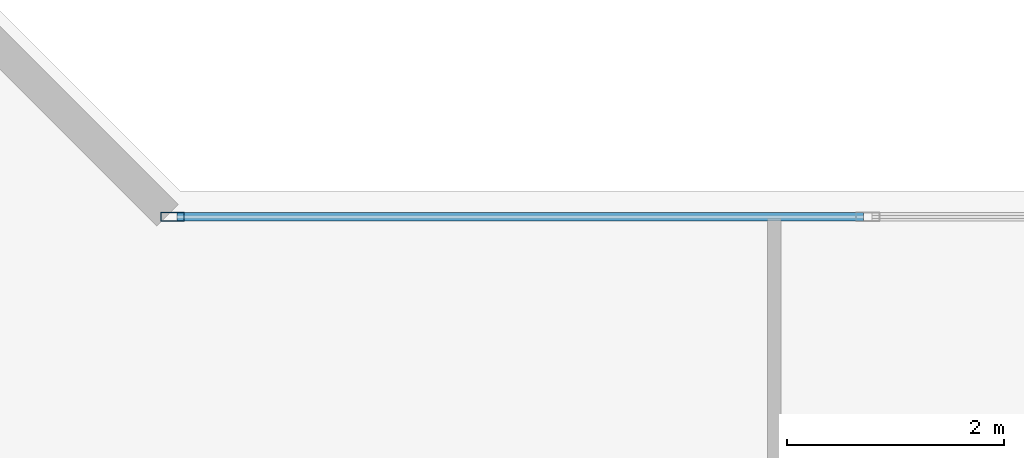
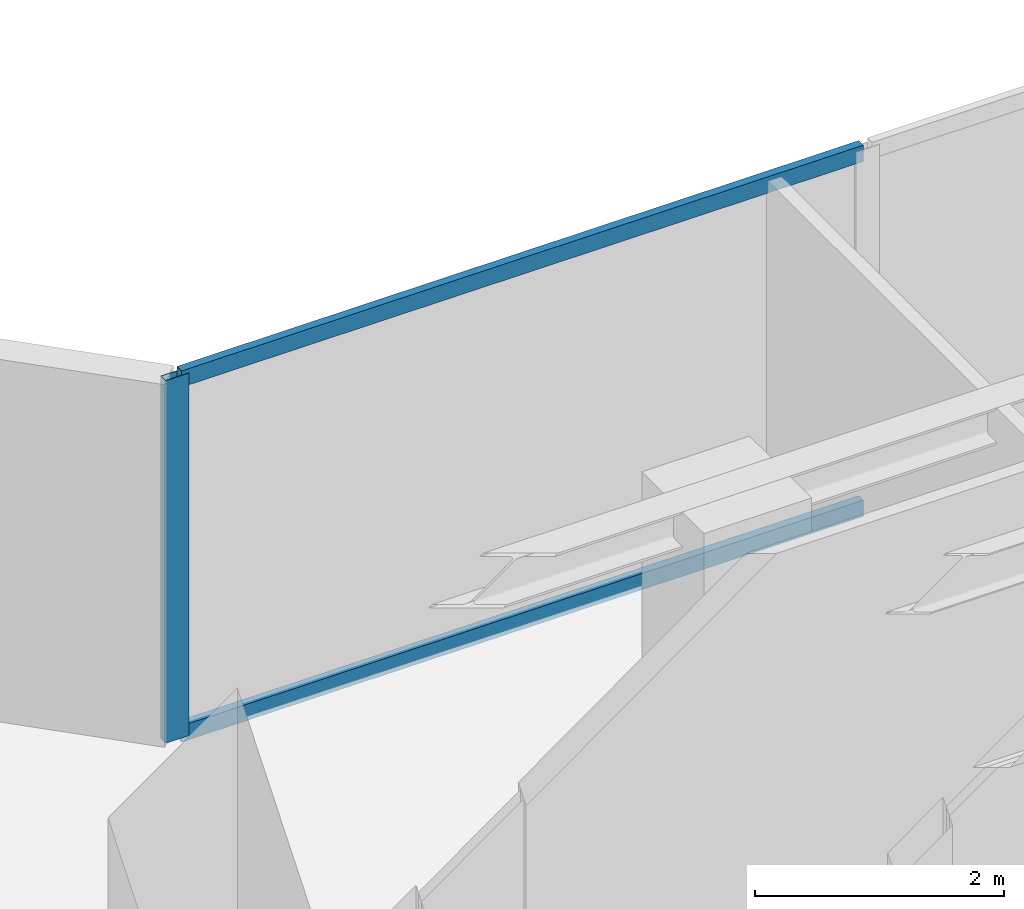
# One storey, part 9 of 28: 3 members, 1 element without a shape of its own.
"""IFC4 building model written with IfcOpenShell, lengths in metres."""

import ifcopenshell
import ifcopenshell.guid

model = None  # the IFC model being written
_history = None  # IfcOwnerHistory: only IFC2X3 demands one
_inside = {}  # id of a spatial element -> (the spatial element, [elements in it])
_under = {}  # id of a project, library or spatial element -> (it, [spatial elements below it])
_declared = {}  # id of a project -> (the project, [libraries it declares])
_typed = {}  # id of a type object -> (the type object, [elements of that type])
_made_of = {}  # id of a material, layer set ... -> (it, [elements and type objects made of it])


def new_model(schema):
    """Start an empty IFC model of exactly this schema.

    Asked for "IFC4X3", IfcOpenShell would pick the latest addendum, in which some entities
    have other attributes; the version numbers below select the first issue.
    IFC2X3 requires an IfcOwnerHistory on every rooted entity: one is made here for all.
    """
    global model, _history
    if schema == "IFC4X3":
        model = ifcopenshell.file(schema_version=(4, 3, 0, 0))
    else:
        model = ifcopenshell.file(schema=schema)
    _inside.clear()
    _under.clear()
    _declared.clear()
    _typed.clear()
    _made_of.clear()
    _history = None
    if model.schema == "IFC2X3":
        org = make("IfcOrganization", Name="unknown")
        user = make(
            "IfcPersonAndOrganization",
            ThePerson=make("IfcPerson", FamilyName="unknown"),
            TheOrganization=org,
        )
        app = make(
            "IfcApplication",
            ApplicationDeveloper=org,
            Version="unknown",
            ApplicationFullName="unknown",
            ApplicationIdentifier="unknown",
        )
        _history = make(
            "IfcOwnerHistory",
            OwningUser=user,
            OwningApplication=app,
            ChangeAction="ADDED",
            CreationDate=0,
        )
    return model


def make(cls, **values):
    """One entity of the class cls with the attributes given. An attribute that is None is left unset."""
    return model.create_entity(
        cls, **{name: value for name, value in values.items() if value is not None}
    )


def rooted(cls, **values):
    """An entity with a GlobalId (a new one), such as an element, a storey or a relation."""
    return make(cls, GlobalId=ifcopenshell.guid.new(), OwnerHistory=_history, **values)


def si_unit(unit_type, name, prefix=None):
    """IfcSIUnit, for example si_unit("LENGTHUNIT", "METRE", prefix="MILLI")."""
    return make("IfcSIUnit", UnitType=unit_type, Prefix=prefix, Name=name)


def assignment(units):
    """IfcUnitAssignment: the units of a project."""
    return None if units is None else make("IfcUnitAssignment", Units=units)


def point(xyz):
    """IfcCartesianPoint."""
    return None if xyz is None else make("IfcCartesianPoint", Coordinates=xyz)


def direction(xyz):
    """IfcDirection."""
    return None if xyz is None else make("IfcDirection", DirectionRatios=xyz)


def frame(location, z_axis=None, x_axis=None):
    """IfcAxis2Placement3D, a coordinate frame: its origin and axes. An axis left out is left unset."""
    return make(
        "IfcAxis2Placement3D",
        Location=point(location),
        Axis=direction(z_axis),
        RefDirection=direction(x_axis),
    )


def frame_2d(location, x_axis=None):
    """IfcAxis2Placement2D, a coordinate frame in the plane: its origin and x axis."""
    return make(
        "IfcAxis2Placement2D", Location=point(location), RefDirection=direction(x_axis)
    )


def origin():
    """The frame at (0, 0, 0) with its axes left unset."""
    return frame((0.0, 0.0, 0.0))


def origin_with_axes():
    """The frame at (0, 0, 0) with the z axis (0, 0, 1) and the x axis (1, 0, 0) written out."""
    return frame((0.0, 0.0, 0.0), z_axis=(0.0, 0.0, 1.0), x_axis=(1.0, 0.0, 0.0))


def origin_2d():
    """The frame at (0, 0) in the plane with its x axis left unset."""
    return frame_2d((0.0, 0.0))


def place(relative_to, where):
    """IfcLocalPlacement: puts the frame where relative to a parent placement (None: the world)."""
    return make(
        "IfcLocalPlacement", PlacementRelTo=relative_to, RelativePlacement=where
    )


def context(
    kind, dimensions, precision=None, world=None, true_north=None, identifier=None
):
    """IfcGeometricRepresentationContext, for example the 3D "Model" context."""
    return make(
        "IfcGeometricRepresentationContext",
        ContextIdentifier=identifier,
        ContextType=kind,
        CoordinateSpaceDimension=dimensions,
        Precision=precision,
        WorldCoordinateSystem=world,
        TrueNorth=true_north,
    )


def subcontext(parent, identifier, kind, view, scale=None):
    """IfcGeometricRepresentationSubContext, for example "Body" below "Model"."""
    return make(
        "IfcGeometricRepresentationSubContext",
        ContextIdentifier=identifier,
        ContextType=kind,
        ParentContext=parent,
        TargetScale=scale,
        TargetView=view,
    )


def project(units=None, contexts=None):
    """IfcProject with its units and contexts."""
    return rooted(
        "IfcProject",
        Name="project",
        RepresentationContexts=contexts,
        UnitsInContext=assignment(units),
    )


def spatial(cls, under=None, at=None, **own):
    """A site, building, storey or space (cls), placed at a placement, below another one or the project."""
    s = rooted(cls, ObjectPlacement=at, **own)
    if under is not None:
        _under.setdefault(under.id(), (under, []))[1].append(s)
    return s


def profile(cls, at=None, kind="AREA", **sizes):
    """A parametric profile (cls). Its sizes go by their IFC names, for example OverallWidth=200.0."""
    return make(cls, ProfileType=kind, Position=at, **sizes)


def hollow_rectangle(**sizes):
    """IfcRectangleHollowProfileDef."""
    return profile("IfcRectangleHollowProfileDef", **sizes)


def extrude(swept, where, along, depth):
    """IfcExtrudedAreaSolid: the profile swept, set in the frame where, extruded along a direction by depth."""
    return make(
        "IfcExtrudedAreaSolid",
        SweptArea=swept,
        Position=where,
        ExtrudedDirection=direction(along),
        Depth=depth,
    )


def shape(context_of_items, identifier, shape_type, items):
    """IfcShapeRepresentation: the items that make up one representation, for example the "Body"."""
    return make(
        "IfcShapeRepresentation",
        ContextOfItems=context_of_items,
        RepresentationIdentifier=identifier,
        RepresentationType=shape_type,
        Items=items,
    )


def source(mapping_origin, context_of_items, identifier, shape_type, items):
    """IfcRepresentationMap: a shape defined once, which mapped items show again and again."""
    return make(
        "IfcRepresentationMap",
        MappingOrigin=mapping_origin,
        MappedRepresentation=shape(context_of_items, identifier, shape_type, items),
    )


def transform(
    local_origin,
    x_axis=None,
    y_axis=None,
    z_axis=None,
    scale=None,
    scale2=None,
    scale3=None,
    uniform=True,
):
    """IfcCartesianTransformationOperator3D, or its non-uniform kind. x_axis, y_axis, z_axis: its Axis1, 2, 3."""
    if uniform:
        return make(
            "IfcCartesianTransformationOperator3D",
            Axis1=direction(x_axis),
            Axis2=direction(y_axis),
            LocalOrigin=point(local_origin),
            Scale=scale,
            Axis3=direction(z_axis),
        )
    return make(
        "IfcCartesianTransformationOperator3DnonUniform",
        Axis1=direction(x_axis),
        Axis2=direction(y_axis),
        LocalOrigin=point(local_origin),
        Scale=scale,
        Axis3=direction(z_axis),
        Scale2=scale2,
        Scale3=scale3,
    )


def mapped(mapping_source, mapping_target):
    """IfcMappedItem: shows the shape of a source again, moved by a transform."""
    return make(
        "IfcMappedItem", MappingSource=mapping_source, MappingTarget=mapping_target
    )


def material(Name=None, Category=None):
    """IfcMaterial."""
    return make("IfcMaterial", Name=Name, Category=Category)


def layer(
    of_material, thickness, ventilated=None, Name=None, Category=None, Priority=None
):
    """IfcMaterialLayer: one layer of a wall or slab, of a material (None: an air gap)."""
    return make(
        "IfcMaterialLayer",
        Material=of_material,
        LayerThickness=thickness,
        IsVentilated=ventilated,
        Name=Name,
        Category=Category,
        Priority=Priority,
    )


def layer_set(layers, Name=None):
    """IfcMaterialLayerSet."""
    return make("IfcMaterialLayerSet", MaterialLayers=layers, LayerSetName=Name)


def material_profile(
    of_material, cross_section, Name=None, Category=None, Priority=None
):
    """IfcMaterialProfile: a cross section and its material."""
    return make(
        "IfcMaterialProfile",
        Name=Name,
        Material=of_material,
        Profile=cross_section,
        Priority=Priority,
        Category=Category,
    )


def profile_set(profiles, Name=None, composite=None):
    """IfcMaterialProfileSet."""
    return make(
        "IfcMaterialProfileSet",
        Name=Name,
        MaterialProfiles=profiles,
        CompositeProfile=composite,
    )


def made_of(thing, what):
    """Note that an element or type object is made of a material, layer set ...; save() writes the relation."""
    if what is not None:
        _made_of.setdefault(what.id(), (what, []))[1].append(thing)
    return thing


def type_object(cls, material=None, **own):
    """A type object (cls), such as IfcWallType, which elements share."""
    return made_of(rooted(cls, **own), material)


def element(
    cls,
    number,
    at=None,
    inside=None,
    cuts=None,
    type_object=None,
    material=None,
    context=None,
    identifier="Body",
    shape_type=None,
    held_by="IfcProductDefinitionShape",
    body=None,
    shapes=None,
    **own,
):
    """One element of the class cls, such as IfcWall. Its Tag is "e" and its number.

    at: its placement. inside: the storey or other place that contains it. cuts: it is an
    opening in that element (IfcRelVoidsElement). A single representation is given by context,
    identifier, shape_type and body (its items); several are given by shapes. held_by: the class
    of the entity that holds the representations. save() writes the other relations.
    """
    e = rooted(cls, Tag="e%d" % number, ObjectPlacement=at, **own)
    if body is not None:
        shapes = [shape(context, identifier, shape_type, body)]
    if shapes is not None:
        e.Representation = make(held_by, Representations=shapes)
    if inside is not None:
        _inside.setdefault(inside.id(), (inside, []))[1].append(e)
    if cuts is not None:
        rooted(
            "IfcRelVoidsElement", RelatingBuildingElement=cuts, RelatedOpeningElement=e
        )
    if type_object is not None:
        _typed.setdefault(type_object.id(), (type_object, []))[1].append(e)
    return made_of(e, material)


def aggregate(whole, parts):
    """IfcRelAggregates: a whole, such as a stair, and the parts it consists of."""
    return rooted("IfcRelAggregates", RelatingObject=whole, RelatedObjects=parts)


def save(model, path):
    """Write the relations noted so far, then the file.

    IfcRelAggregates (storeys below a building ...), IfcRelContainedInSpatialStructure (elements
    in a storey), IfcRelDefinesByType, IfcRelAssociatesMaterial and IfcRelDeclares: one each for
    every whole, place, type object, material and project.
    """
    for whole, parts in _under.values():
        aggregate(whole, parts)
    for where, things in _inside.values():
        rooted(
            "IfcRelContainedInSpatialStructure",
            RelatedElements=things,
            RelatingStructure=where,
        )
    for kind, things in _typed.values():
        rooted("IfcRelDefinesByType", RelatedObjects=things, RelatingType=kind)
    for what, things in _made_of.values():
        rooted("IfcRelAssociatesMaterial", RelatedObjects=things, RelatingMaterial=what)
    for by, libraries in _declared.values():
        rooted("IfcRelDeclares", RelatingContext=by, RelatedDefinitions=libraries)
    model.write(path)


model = new_model("IFC4")

# Units and contexts
model_context = context("Model", 3, precision=1e-05, world=origin(), true_north=direction((0.0, 1.0)))
body_context = subcontext(model_context, "Body", "Model", "MODEL_VIEW")
ifc_project = project(units=[si_unit("LENGTHUNIT", "METRE"), si_unit("AREAUNIT", "SQUARE_METRE"), si_unit("VOLUMEUNIT", "CUBIC_METRE"), si_unit("PLANEANGLEUNIT", "RADIAN"), si_unit("MASSUNIT", "GRAM", prefix="KILO")], contexts=[model_context])

# Site, building, storey
site_placement = place(None, origin())
site = spatial("IfcSite", under=ifc_project, at=site_placement, CompositionType="ELEMENT")
building_placement = place(site_placement, origin())
building = spatial("IfcBuilding", under=site, at=building_placement, Name="Kolvaren Waterfront Exchange", CompositionType="ELEMENT")
storey_placement = place(building_placement, frame((0.0, 0.0, 146.199951171875)))
storey = spatial("IfcBuildingStorey", under=building, at=storey_placement, Name="L37", CompositionType="ELEMENT", Elevation=146.199951171875)

# Curtain wall, members
ifc_material_1 = material(Name="Anodised bronze aluminium 6063-T6", Category="aluminium")
ifc_layer = layer(ifc_material_1, 0.219970703125, Name="Anodised bronze aluminium 6063-T6")
ifc_layer_set = layer_set([ifc_layer], Name="Anodised bronze aluminium 6063-T6")
curtain_wall_type = type_object("IfcCurtainWallType", Name="ARC-CW-SYS1", PredefinedType="USERDEFINED", material=ifc_layer_set)
curtain_wall_placement = place(storey_placement, origin())
curtain_wall = element("IfcCurtainWall", 1, at=curtain_wall_placement, inside=storey, type_object=curtain_wall_type, Name="L37 stick curtain wall CW1 (CW-L37-EN)", ObjectType="STICK CURTAIN WALL", PredefinedType="USERDEFINED")
ifc_material_2 = material(Name="Anodised aluminium 6063-T6", Category="aluminium")
ifc_material_profile_1 = material_profile(ifc_material_2, hollow_rectangle(XDim=0.080078125, YDim=0.219970703125, WallThickness=0.0048828125, at=origin_2d()), Name="ALU-MUL-220x80x5")
ifc_profile_set_1 = profile_set([ifc_material_profile_1], Name="Anodised aluminium 6063-T6")
member_type_1 = type_object("IfcMemberType", Name="ARC-CWM-220", PredefinedType="MULLION", material=ifc_profile_set_1)
shared_shape_1 = source(origin_with_axes(), body_context, "Body", "SweptSolid", [
    extrude(hollow_rectangle(XDim=0.080078125, YDim=0.219970703125, WallThickness=0.0048828125, at=origin_2d()), origin(), (0.0, 0.0, 1.0), 3.56005859375),
])
member_1_placement = place(storey_placement, frame((28.929931640625, 20.9599609375, 0.0), z_axis=(0.0, 0.0, 1.0), x_axis=(0.0, 1.0, 0.0)))
member_1 = element("IfcMember", 2, at=member_1_placement, type_object=member_type_1, Name="CW1 mullion 1", PredefinedType="MULLION", context=body_context, shape_type="MappedRepresentation", body=[
    mapped(shared_shape_1, transform((0.0, 0.0, 0.0), x_axis=(1.0, 0.0, 0.0), y_axis=(0.0, 1.0, 0.0), z_axis=(0.0, 0.0, 1.0), scale=1.0)),
])
ifc_material_profile_2 = material_profile(ifc_material_2, hollow_rectangle(XDim=0.074951171875, YDim=0.159912109375, WallThickness=0.00439453125, at=origin_2d()), Name="ALU-TRN-160x75x4.5")
ifc_profile_set_2 = profile_set([ifc_material_profile_2], Name="Anodised aluminium 6063-T6")
member_type_2 = type_object("IfcMemberType", Name="ARC-CWT-160", PredefinedType="USERDEFINED", material=ifc_profile_set_2)
shared_shape_2 = source(origin_with_axes(), body_context, "Body", "SweptSolid", [
    extrude(hollow_rectangle(XDim=0.074951171875, YDim=0.159912109375, WallThickness=0.00439453125, at=origin_2d()), origin(), (0.0, 0.0, 1.0), 6.33251953125),
])
member_2_placement = place(storey_placement, frame((28.969970703125, 20.9599609375, 0.03759765625), z_axis=(1.0, 0.0, 0.0), x_axis=(0.0, 1.0, 0.0)))
member_2 = element("IfcMember", 3, at=member_2_placement, type_object=member_type_2, Name="CW1 transom 1.1", ObjectType="TRANSOM", PredefinedType="USERDEFINED", context=body_context, shape_type="MappedRepresentation", body=[
    mapped(shared_shape_2, transform((0.0, 0.0, 0.0), x_axis=(1.0, 0.0, 0.0), y_axis=(0.0, 1.0, 0.0), z_axis=(0.0, 0.0, 1.0), scale=1.0)),
])
member_3_placement = place(storey_placement, frame((28.969970703125, 20.9599609375, 3.5224609375), z_axis=(1.0, 0.0, 0.0), x_axis=(0.0, 1.0, 0.0)))
member_3 = element("IfcMember", 4, at=member_3_placement, type_object=member_type_2, Name="CW1 transom 1.2", ObjectType="TRANSOM", PredefinedType="USERDEFINED", context=body_context, shape_type="MappedRepresentation", body=[
    mapped(shared_shape_2, transform((0.0, 0.0, 0.0), x_axis=(1.0, 0.0, 0.0), y_axis=(0.0, 1.0, 0.0), z_axis=(0.0, 0.0, 1.0), scale=1.0)),
])
aggregate(curtain_wall, [member_1, member_2, member_3])

save(model, "model.ifc")
